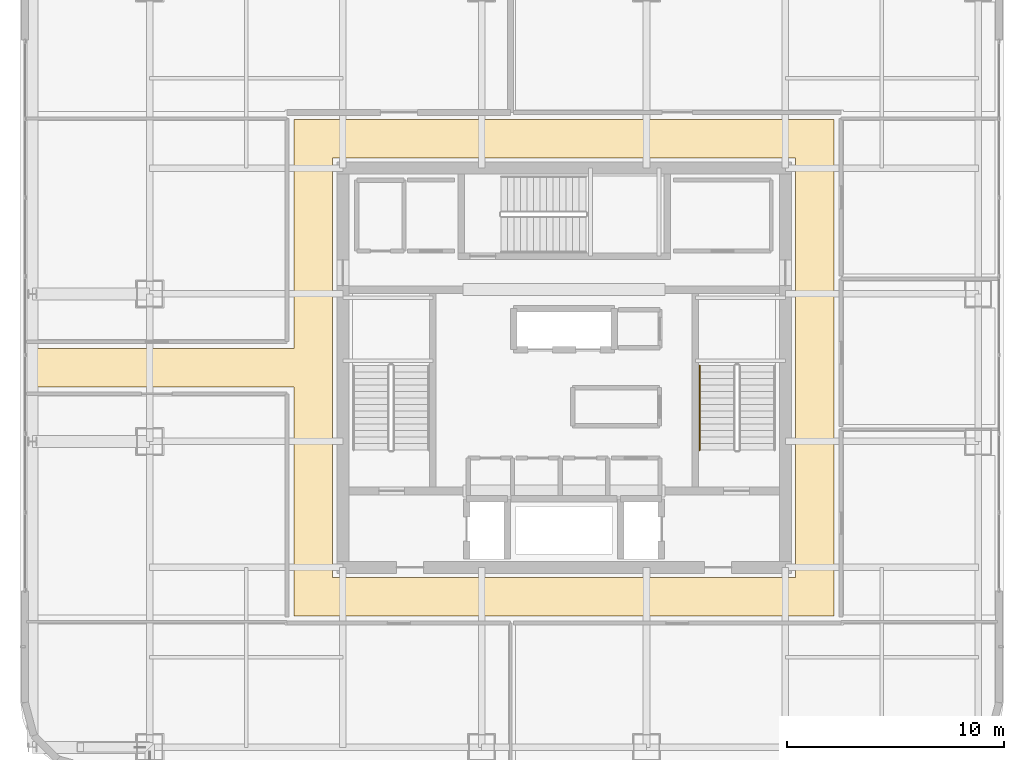
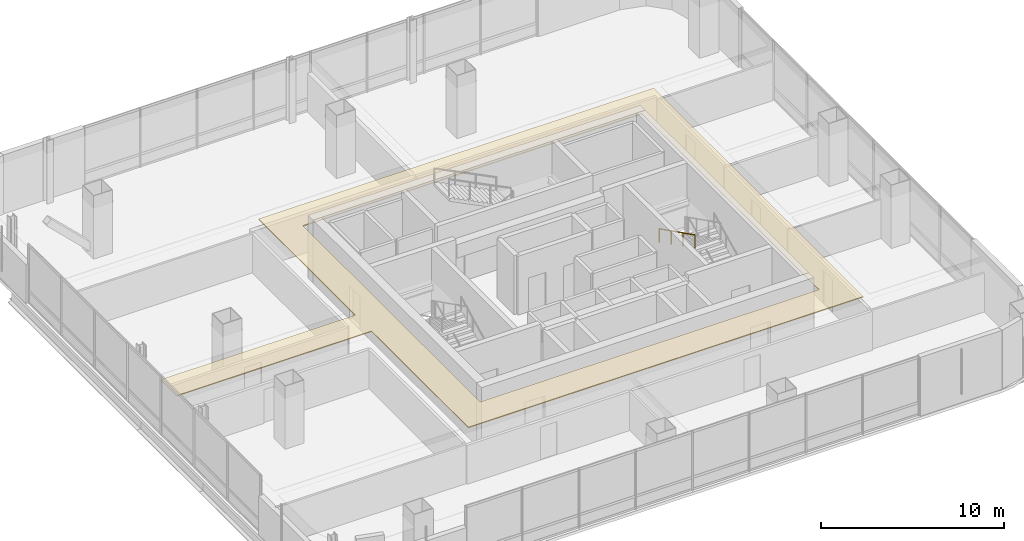
# One storey, part 41 of 51: 1 covering, 1 railing.
"""IFC4 building model written with IfcOpenShell, lengths in metres."""

import ifcopenshell
import ifcopenshell.guid

model = None  # the IFC model being written
_history = None  # IfcOwnerHistory: only IFC2X3 demands one
_inside = {}  # id of a spatial element -> (the spatial element, [elements in it])
_under = {}  # id of a project, library or spatial element -> (it, [spatial elements below it])
_declared = {}  # id of a project -> (the project, [libraries it declares])
_typed = {}  # id of a type object -> (the type object, [elements of that type])
_made_of = {}  # id of a material, layer set ... -> (it, [elements and type objects made of it])


def new_model(schema):
    """Start an empty IFC model of exactly this schema.

    Asked for "IFC4X3", IfcOpenShell would pick the latest addendum, in which some entities
    have other attributes; the version numbers below select the first issue.
    IFC2X3 requires an IfcOwnerHistory on every rooted entity: one is made here for all.
    """
    global model, _history
    if schema == "IFC4X3":
        model = ifcopenshell.file(schema_version=(4, 3, 0, 0))
    else:
        model = ifcopenshell.file(schema=schema)
    _inside.clear()
    _under.clear()
    _declared.clear()
    _typed.clear()
    _made_of.clear()
    _history = None
    if model.schema == "IFC2X3":
        org = make("IfcOrganization", Name="unknown")
        user = make(
            "IfcPersonAndOrganization",
            ThePerson=make("IfcPerson", FamilyName="unknown"),
            TheOrganization=org,
        )
        app = make(
            "IfcApplication",
            ApplicationDeveloper=org,
            Version="unknown",
            ApplicationFullName="unknown",
            ApplicationIdentifier="unknown",
        )
        _history = make(
            "IfcOwnerHistory",
            OwningUser=user,
            OwningApplication=app,
            ChangeAction="ADDED",
            CreationDate=0,
        )
    return model


def make(cls, **values):
    """One entity of the class cls with the attributes given. An attribute that is None is left unset."""
    return model.create_entity(
        cls, **{name: value for name, value in values.items() if value is not None}
    )


def rooted(cls, **values):
    """An entity with a GlobalId (a new one), such as an element, a storey or a relation."""
    return make(cls, GlobalId=ifcopenshell.guid.new(), OwnerHistory=_history, **values)


def si_unit(unit_type, name, prefix=None):
    """IfcSIUnit, for example si_unit("LENGTHUNIT", "METRE", prefix="MILLI")."""
    return make("IfcSIUnit", UnitType=unit_type, Prefix=prefix, Name=name)


def assignment(units):
    """IfcUnitAssignment: the units of a project."""
    return None if units is None else make("IfcUnitAssignment", Units=units)


def point(xyz):
    """IfcCartesianPoint."""
    return None if xyz is None else make("IfcCartesianPoint", Coordinates=xyz)


def direction(xyz):
    """IfcDirection."""
    return None if xyz is None else make("IfcDirection", DirectionRatios=xyz)


def frame(location, z_axis=None, x_axis=None):
    """IfcAxis2Placement3D, a coordinate frame: its origin and axes. An axis left out is left unset."""
    return make(
        "IfcAxis2Placement3D",
        Location=point(location),
        Axis=direction(z_axis),
        RefDirection=direction(x_axis),
    )


def frame_2d(location, x_axis=None):
    """IfcAxis2Placement2D, a coordinate frame in the plane: its origin and x axis."""
    return make(
        "IfcAxis2Placement2D", Location=point(location), RefDirection=direction(x_axis)
    )


def origin():
    """The frame at (0, 0, 0) with its axes left unset."""
    return frame((0.0, 0.0, 0.0))


def origin_2d():
    """The frame at (0, 0) in the plane with its x axis left unset."""
    return frame_2d((0.0, 0.0))


def place(relative_to, where):
    """IfcLocalPlacement: puts the frame where relative to a parent placement (None: the world)."""
    return make(
        "IfcLocalPlacement", PlacementRelTo=relative_to, RelativePlacement=where
    )


def context(
    kind, dimensions, precision=None, world=None, true_north=None, identifier=None
):
    """IfcGeometricRepresentationContext, for example the 3D "Model" context."""
    return make(
        "IfcGeometricRepresentationContext",
        ContextIdentifier=identifier,
        ContextType=kind,
        CoordinateSpaceDimension=dimensions,
        Precision=precision,
        WorldCoordinateSystem=world,
        TrueNorth=true_north,
    )


def subcontext(parent, identifier, kind, view, scale=None):
    """IfcGeometricRepresentationSubContext, for example "Body" below "Model"."""
    return make(
        "IfcGeometricRepresentationSubContext",
        ContextIdentifier=identifier,
        ContextType=kind,
        ParentContext=parent,
        TargetScale=scale,
        TargetView=view,
    )


def project(units=None, contexts=None):
    """IfcProject with its units and contexts."""
    return rooted(
        "IfcProject",
        Name="project",
        RepresentationContexts=contexts,
        UnitsInContext=assignment(units),
    )


def spatial(cls, under=None, at=None, **own):
    """A site, building, storey or space (cls), placed at a placement, below another one or the project."""
    s = rooted(cls, ObjectPlacement=at, **own)
    if under is not None:
        _under.setdefault(under.id(), (under, []))[1].append(s)
    return s


def polyline(points):
    """IfcPolyline through the points."""
    return make("IfcPolyline", Points=[point(p) for p in points])


def profile(cls, at=None, kind="AREA", **sizes):
    """A parametric profile (cls). Its sizes go by their IFC names, for example OverallWidth=200.0."""
    return make(cls, ProfileType=kind, Position=at, **sizes)


def circle(**sizes):
    """IfcCircleProfileDef."""
    return profile("IfcCircleProfileDef", **sizes)


def outline(outer, holes=None, kind="AREA"):
    """IfcArbitraryClosedProfileDef: a profile drawn as a closed curve; with holes, ...WithVoids."""
    if holes is None:
        return make("IfcArbitraryClosedProfileDef", ProfileType=kind, OuterCurve=outer)
    return make(
        "IfcArbitraryProfileDefWithVoids",
        ProfileType=kind,
        OuterCurve=outer,
        InnerCurves=holes,
    )


def extrude(swept, where, along, depth):
    """IfcExtrudedAreaSolid: the profile swept, set in the frame where, extruded along a direction by depth."""
    return make(
        "IfcExtrudedAreaSolid",
        SweptArea=swept,
        Position=where,
        ExtrudedDirection=direction(along),
        Depth=depth,
    )


def shape(context_of_items, identifier, shape_type, items):
    """IfcShapeRepresentation: the items that make up one representation, for example the "Body"."""
    return make(
        "IfcShapeRepresentation",
        ContextOfItems=context_of_items,
        RepresentationIdentifier=identifier,
        RepresentationType=shape_type,
        Items=items,
    )


def material(Name=None, Category=None):
    """IfcMaterial."""
    return make("IfcMaterial", Name=Name, Category=Category)


def layer(
    of_material, thickness, ventilated=None, Name=None, Category=None, Priority=None
):
    """IfcMaterialLayer: one layer of a wall or slab, of a material (None: an air gap)."""
    return make(
        "IfcMaterialLayer",
        Material=of_material,
        LayerThickness=thickness,
        IsVentilated=ventilated,
        Name=Name,
        Category=Category,
        Priority=Priority,
    )


def layer_set(layers, Name=None):
    """IfcMaterialLayerSet."""
    return make("IfcMaterialLayerSet", MaterialLayers=layers, LayerSetName=Name)


def made_of(thing, what):
    """Note that an element or type object is made of a material, layer set ...; save() writes the relation."""
    if what is not None:
        _made_of.setdefault(what.id(), (what, []))[1].append(thing)
    return thing


def type_object(cls, material=None, **own):
    """A type object (cls), such as IfcWallType, which elements share."""
    return made_of(rooted(cls, **own), material)


def element(
    cls,
    number,
    at=None,
    inside=None,
    cuts=None,
    type_object=None,
    material=None,
    context=None,
    identifier="Body",
    shape_type=None,
    held_by="IfcProductDefinitionShape",
    body=None,
    shapes=None,
    **own,
):
    """One element of the class cls, such as IfcWall. Its Tag is "e" and its number.

    at: its placement. inside: the storey or other place that contains it. cuts: it is an
    opening in that element (IfcRelVoidsElement). A single representation is given by context,
    identifier, shape_type and body (its items); several are given by shapes. held_by: the class
    of the entity that holds the representations. save() writes the other relations.
    """
    e = rooted(cls, Tag="e%d" % number, ObjectPlacement=at, **own)
    if body is not None:
        shapes = [shape(context, identifier, shape_type, body)]
    if shapes is not None:
        e.Representation = make(held_by, Representations=shapes)
    if inside is not None:
        _inside.setdefault(inside.id(), (inside, []))[1].append(e)
    if cuts is not None:
        rooted(
            "IfcRelVoidsElement", RelatingBuildingElement=cuts, RelatedOpeningElement=e
        )
    if type_object is not None:
        _typed.setdefault(type_object.id(), (type_object, []))[1].append(e)
    return made_of(e, material)


def aggregate(whole, parts):
    """IfcRelAggregates: a whole, such as a stair, and the parts it consists of."""
    return rooted("IfcRelAggregates", RelatingObject=whole, RelatedObjects=parts)


def save(model, path):
    """Write the relations noted so far, then the file.

    IfcRelAggregates (storeys below a building ...), IfcRelContainedInSpatialStructure (elements
    in a storey), IfcRelDefinesByType, IfcRelAssociatesMaterial and IfcRelDeclares: one each for
    every whole, place, type object, material and project.
    """
    for whole, parts in _under.values():
        aggregate(whole, parts)
    for where, things in _inside.values():
        rooted(
            "IfcRelContainedInSpatialStructure",
            RelatedElements=things,
            RelatingStructure=where,
        )
    for kind, things in _typed.values():
        rooted("IfcRelDefinesByType", RelatedObjects=things, RelatingType=kind)
    for what, things in _made_of.values():
        rooted("IfcRelAssociatesMaterial", RelatedObjects=things, RelatingMaterial=what)
    for by, libraries in _declared.values():
        rooted("IfcRelDeclares", RelatingContext=by, RelatedDefinitions=libraries)
    model.write(path)


model = new_model("IFC4")

# Units and contexts
model_context = context("Model", 3, precision=1e-05, world=origin(), true_north=direction((0.0, 1.0)))
body_context = subcontext(model_context, "Body", "Model", "MODEL_VIEW")
ifc_project = project(units=[si_unit("LENGTHUNIT", "METRE"), si_unit("AREAUNIT", "SQUARE_METRE"), si_unit("VOLUMEUNIT", "CUBIC_METRE"), si_unit("PLANEANGLEUNIT", "RADIAN"), si_unit("MASSUNIT", "GRAM", prefix="KILO")], contexts=[model_context])

# Site, building, storey
site_placement = place(None, origin())
site = spatial("IfcSite", under=ifc_project, at=site_placement, CompositionType="ELEMENT")
building_placement = place(site_placement, origin())
building = spatial("IfcBuilding", under=site, at=building_placement, Name="Punatoya Terracotta Tower", CompositionType="ELEMENT")
storey_placement = place(building_placement, frame((0.0, 0.0, 313.199951171875)))
storey = spatial("IfcBuildingStorey", under=building, at=storey_placement, Name="L74", CompositionType="ELEMENT", Elevation=313.199951171875)

# Covering
ifc_material_1 = material(Name="Acoustic Mineral Fibre Ceiling")
ifc_layer = layer(ifc_material_1, 0.06005859375)
ifc_layer_set = layer_set([ifc_layer], Name="Acoustic Mineral Fibre Ceiling")
covering_type = type_object("IfcCoveringType", Name="COV-CEIL-60", PredefinedType="CEILING", material=ifc_layer_set)
covering_placement = place(storey_placement, frame((0.0, 0.0, 3.39013671875)))
element("IfcCovering", 1, at=covering_placement, inside=storey, type_object=covering_type, Name="L74 Executive Circulation Corridor Acoustic Ceiling", PredefinedType="CEILING", context=body_context, shape_type="SweptSolid", body=[
    extrude(outline(polyline([(-12.449951171875, -11.449951171875), (12.449951171875, -11.449951171875), (12.449951171875, 11.449951171875), (-12.449951171875, 11.449951171875), (-12.449951171875, 0.8798828125), (-24.72998046875, 0.8798828125), (-24.72998046875, -0.8798828125), (-12.449951171875, -0.8798828125), (-12.449951171875, -11.449951171875)]), holes=[polyline([(-10.679931640625, -9.679931640625), (-10.679931640625, 9.679931640625), (10.679931640625, 9.679931640625), (10.679931640625, -9.679931640625), (-10.679931640625, -9.679931640625)])]), origin(), (0.0, 0.0, 1.0), 0.059814453125),
])

# Railing
ifc_material_2 = material(Name="Steel S355", Category="steel")
railing_type = type_object("IfcRailingType", Name="RLG-HND-900", PredefinedType="HANDRAIL", material=ifc_material_2)
railing_placement = place(storey_placement, frame((6.25, 0.10009765625, 2.25)))
element("IfcRailing", 2, at=railing_placement, inside=storey, type_object=railing_type, Name="L74 ST-2 stair handrail 2", PredefinedType="HANDRAIL", context=body_context, shape_type="SweptSolid", body=[
    extrude(circle(Radius=0.02392578125, at=origin_2d()), frame((0.0, 0.0, 0.8759765625), z_axis=(0.0, -0.894438388696, 0.447191199406), x_axis=(1.0, 0.0, 0.0)), (0.0, 0.0, 1.0), 4.3603515625),
    extrude(circle(Radius=0.02099609375, at=origin_2d()), origin(), (0.0, 0.0, 1.0), 0.851806640625),
    extrude(circle(Radius=0.02099609375, at=origin_2d()), frame((0.0, -1.300048828125, 0.64990234375)), (0.0, 0.0, 1.0), 0.851806640625),
    extrude(circle(Radius=0.02099609375, at=origin_2d()), frame((0.0, -2.60009765625, 1.300048828125)), (0.0, 0.0, 1.0), 0.851806640625),
    extrude(circle(Radius=0.02099609375, at=origin_2d()), frame((0.0, -3.900146484375, 1.949951171875)), (0.0, 0.0, 1.0), 0.851806640625),
])

save(model, "model.ifc")
